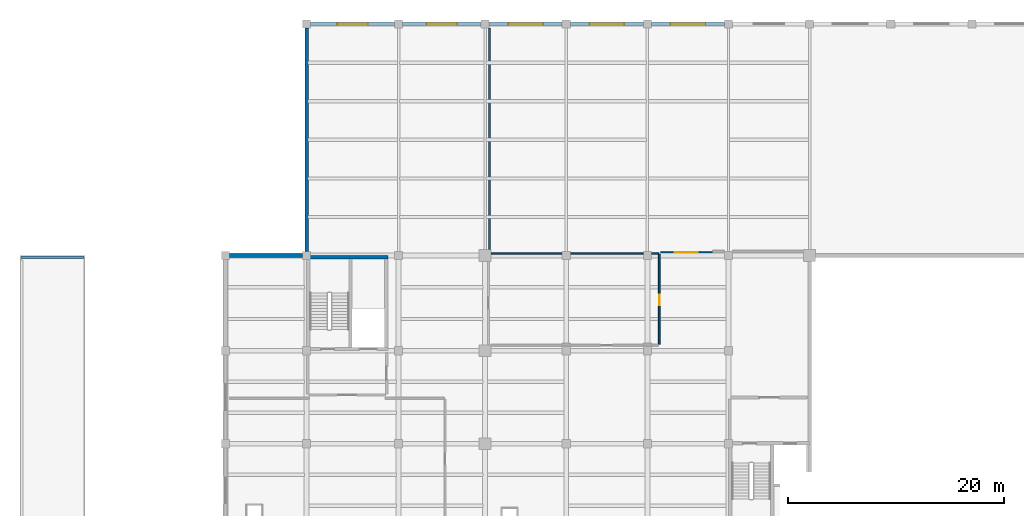
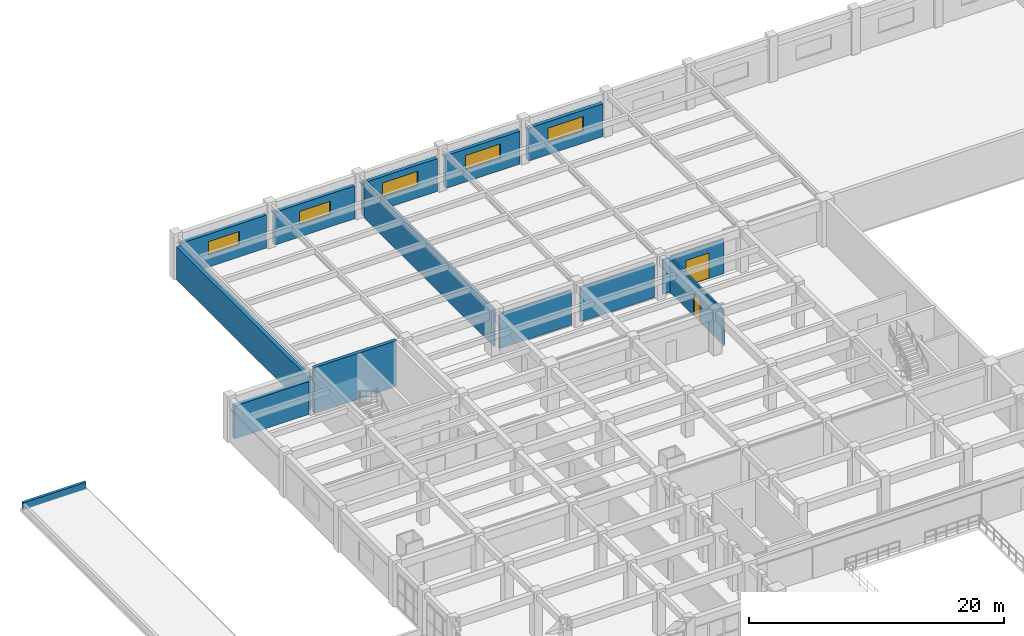
# One storey, part 73 of 90: 15 walls, 5 windows, 2 doors, 7 openings.
"""IFC4 building model written with IfcOpenShell, lengths in metres."""

from ifc_helpers import new_model, si_unit, direction, frame, frame_2d, origin, place, context, subcontext, project, spatial, rectangle, extrude, material, layer, layer_set, type_object, element, fill, save


model = new_model("IFC4")

# Units and contexts
model_context = context("Model", 3, precision=1e-05, world=origin(), true_north=direction((0.0, 1.0)))
body_context = subcontext(model_context, "Body", "Model", "MODEL_VIEW")
ifc_project = project(units=[si_unit("LENGTHUNIT", "METRE"), si_unit("AREAUNIT", "SQUARE_METRE"), si_unit("VOLUMEUNIT", "CUBIC_METRE"), si_unit("PLANEANGLEUNIT", "RADIAN"), si_unit("MASSUNIT", "GRAM", prefix="KILO")], contexts=[model_context])

# Site, building, storey
site_placement = place(None, origin())
site = spatial("IfcSite", under=ifc_project, at=site_placement, CompositionType="ELEMENT")
building_placement = place(site_placement, origin())
building = spatial("IfcBuilding", under=site, at=building_placement, Name="Muzn Square Opera House", CompositionType="ELEMENT")
storey_placement = place(building_placement, frame((0.0, 0.0, 9.800048828125)))
storey = spatial("IfcBuildingStorey", under=building, at=storey_placement, Name="L02", CompositionType="ELEMENT", Elevation=9.800048828125)

# Wall
ifc_material_1 = material(Name="Concrete C45/55", Category="concrete")
ifc_layer_1 = layer(ifc_material_1, 0.300048828125, Name="Concrete C45/55", Category="concrete")
ifc_layer_set_1 = layer_set([ifc_layer_1], Name="Concrete C45/55")
wall_type_1 = type_object("IfcWallType", Name="Core Shear Wall 300mm", PredefinedType="SHEAR", material=ifc_layer_set_1)
wall_1_placement = place(storey_placement, frame((26.5, 98.449951171875, 0.0), z_axis=(0.0, 0.0, 1.0), x_axis=(1.0, 0.0, 0.0)))
element("IfcWall", 1, at=wall_1_placement, inside=storey, type_object=wall_type_1, Name="Core C6 Shear Wall SW-C6-L02-N", PredefinedType="SHEAR", context=body_context, shape_type="SweptSolid", body=[
    extrude(rectangle(XDim=7.5, YDim=0.300048828125, at=frame_2d((3.75, 0.0))), origin(), (0.0, 0.0, 1.0), 4.39990234375),
])

# Wall, opening, window
ifc_material_2 = material(Name="Concrete C40/50", Category="concrete")
ifc_layer_2 = layer(ifc_material_2, 0.340087890625, Name="Concrete C40/50", Category="concrete")
ifc_layer_set_2 = layer_set([ifc_layer_2], Name="Concrete C40/50")
wall_type_2 = type_object("IfcWallType", Name="Exterior Insulated Spandrel Wall 340mm", PredefinedType="SOLIDWALL", material=ifc_layer_set_2)
wall_2_placement = place(storey_placement, frame((26.875, 120.0, 0.0), z_axis=(0.0, 0.0, 1.0), x_axis=(1.0, 0.0, 0.0)))
wall_2 = element("IfcWall", 2, at=wall_2_placement, inside=storey, type_object=wall_type_2, Name="Exterior Facade Wall EW-L02-057", PredefinedType="SOLIDWALL", context=body_context, shape_type="SweptSolid", body=[
    extrude(rectangle(XDim=7.75, YDim=0.340087890625, at=frame_2d((3.875, 0.0))), origin(), (0.0, 0.0, 1.0), 3.14990234375),
])
opening_1_placement = place(wall_2_placement, frame((2.47509765625, 0.0, 1.14990234375)))
opening_1 = element("IfcOpeningElement", 3, at=opening_1_placement, cuts=wall_2, Name="Opening WN-S2813", PredefinedType="OPENING", context=body_context, shape_type="SweptSolid", body=[
    extrude(rectangle(XDim=2.800048828125, YDim=1.300048828125, at=frame_2d((1.39990234375, 0.64990234375))), frame((0.0, 0.179931640625, 0.0), z_axis=(0.0, -1.0, 0.0), x_axis=(1.0, 0.0, 0.0)), (0.0, 0.0, 1.0), 0.360107421875),
])
ifc_material_3 = material(Name="Low-E laminated acoustic double glazing", Category="glass")
window_type_1 = type_object("IfcWindowType", Name="Scenery Clerestory Window 2800x1300", PartitioningType="DOUBLE_PANEL_HORIZONTAL", PredefinedType="WINDOW", material=ifc_material_3)
window_1_placement = place(opening_1_placement, origin())
window_1 = element("IfcWindow", 4, at=window_1_placement, inside=storey, type_object=window_type_1, Name="Scenery Clerestory Window 2800x1300 EW-L02-057-WN01", OverallHeight=1.300048828125, OverallWidth=2.800048828125, PartitioningType="SINGLE_PANEL", PredefinedType="WINDOW", context=body_context, shape_type="SweptSolid", body=[
    extrude(rectangle(XDim=2.800048828125, YDim=1.300048828125, at=frame_2d((1.39990234375, 0.64990234375))), frame((0.0, 0.030029296875, 0.0), z_axis=(0.0, -1.0, 0.0), x_axis=(1.0, 0.0, 0.0)), (0.0, 0.0, 1.0), 0.06005859375),
])
fill(opening_1, window_1)

wall_3_placement = place(storey_placement, frame((35.375, 120.0, 0.0), z_axis=(0.0, 0.0, 1.0), x_axis=(1.0, 0.0, 0.0)))
wall_3 = element("IfcWall", 5, at=wall_3_placement, inside=storey, type_object=wall_type_2, Name="Exterior Facade Wall EW-L02-058", PredefinedType="SOLIDWALL", context=body_context, shape_type="SweptSolid", body=[
    extrude(rectangle(XDim=7.25, YDim=0.340087890625, at=frame_2d((3.625, 0.0))), origin(), (0.0, 0.0, 1.0), 3.14990234375),
])
opening_2_placement = place(wall_3_placement, frame((2.22509765625, 0.0, 1.14990234375)))
opening_2 = element("IfcOpeningElement", 6, at=opening_2_placement, cuts=wall_3, Name="Opening WN-S2813", PredefinedType="OPENING", context=body_context, shape_type="SweptSolid", body=[
    extrude(rectangle(XDim=2.800048828125, YDim=1.300048828125, at=frame_2d((1.39990234375, 0.64990234375))), frame((0.0, 0.179931640625, 0.0), z_axis=(0.0, -1.0, 0.0), x_axis=(1.0, 0.0, 0.0)), (0.0, 0.0, 1.0), 0.360107421875),
])
window_2_placement = place(opening_2_placement, origin())
window_2 = element("IfcWindow", 7, at=window_2_placement, inside=storey, type_object=window_type_1, Name="Scenery Clerestory Window 2800x1300 EW-L02-058-WN01", OverallHeight=1.300048828125, OverallWidth=2.800048828125, PartitioningType="SINGLE_PANEL", PredefinedType="WINDOW", context=body_context, shape_type="SweptSolid", body=[
    extrude(rectangle(XDim=2.800048828125, YDim=1.300048828125, at=frame_2d((1.39990234375, 0.64990234375))), frame((0.0, 0.030029296875, 0.0), z_axis=(0.0, -1.0, 0.0), x_axis=(1.0, 0.0, 0.0)), (0.0, 0.0, 1.0), 0.06005859375),
])
fill(opening_2, window_2)

wall_4_placement = place(storey_placement, frame((43.375, 120.0, 0.0), z_axis=(0.0, 0.0, 1.0), x_axis=(1.0, 0.0, 0.0)))
wall_4 = element("IfcWall", 8, at=wall_4_placement, inside=storey, type_object=wall_type_2, Name="Exterior Facade Wall EW-L02-059", PredefinedType="SOLIDWALL", context=body_context, shape_type="SweptSolid", body=[
    extrude(rectangle(XDim=6.75, YDim=0.340087890625, at=frame_2d((3.375, 0.0))), origin(), (0.0, 0.0, 1.0), 3.14990234375),
])
opening_3_placement = place(wall_4_placement, frame((1.77490234375, 0.0, 1.14990234375)))
opening_3 = element("IfcOpeningElement", 9, at=opening_3_placement, cuts=wall_4, Name="Opening WN-S3214", PredefinedType="OPENING", context=body_context, shape_type="SweptSolid", body=[
    extrude(rectangle(XDim=3.199951171875, YDim=1.39990234375, at=frame_2d((1.60009765625, 0.699951171875))), frame((0.0, 0.179931640625, 0.0), z_axis=(0.0, -1.0, 0.0), x_axis=(1.0, 0.0, 0.0)), (0.0, 0.0, 1.0), 0.360107421875),
])
window_type_2 = type_object("IfcWindowType", Name="Scenery Clerestory Window 3200x1400", PartitioningType="TRIPLE_PANEL_VERTICAL", PredefinedType="WINDOW", material=ifc_material_3)
window_3_placement = place(opening_3_placement, origin())
window_3 = element("IfcWindow", 10, at=window_3_placement, inside=storey, type_object=window_type_2, Name="Scenery Clerestory Window 3200x1400 EW-L02-059-WN01", OverallHeight=1.39990234375, OverallWidth=3.199951171875, PartitioningType="SINGLE_PANEL", PredefinedType="WINDOW", context=body_context, shape_type="SweptSolid", body=[
    extrude(rectangle(XDim=3.199951171875, YDim=1.39990234375, at=frame_2d((1.60009765625, 0.699951171875))), frame((0.0, 0.030029296875, 0.0), z_axis=(0.0, -1.0, 0.0), x_axis=(1.0, 0.0, 0.0)), (0.0, 0.0, 1.0), 0.06005859375),
])
fill(opening_3, window_3)

wall_5_placement = place(storey_placement, frame((50.875, 120.0, 0.0), z_axis=(0.0, 0.0, 1.0), x_axis=(1.0, 0.0, 0.0)))
wall_5 = element("IfcWall", 11, at=wall_5_placement, inside=storey, type_object=wall_type_2, Name="Exterior Facade Wall EW-L02-060", PredefinedType="SOLIDWALL", context=body_context, shape_type="SweptSolid", body=[
    extrude(rectangle(XDim=6.75, YDim=0.340087890625, at=frame_2d((3.375, 0.0))), origin(), (0.0, 0.0, 1.0), 3.14990234375),
])
opening_4_placement = place(wall_5_placement, frame((1.77490234375, 0.0, 1.14990234375)))
opening_4 = element("IfcOpeningElement", 12, at=opening_4_placement, cuts=wall_5, Name="Opening WN-S3214", PredefinedType="OPENING", context=body_context, shape_type="SweptSolid", body=[
    extrude(rectangle(XDim=3.199951171875, YDim=1.39990234375, at=frame_2d((1.60009765625, 0.699951171875))), frame((0.0, 0.179931640625, 0.0), z_axis=(0.0, -1.0, 0.0), x_axis=(1.0, 0.0, 0.0)), (0.0, 0.0, 1.0), 0.360107421875),
])
window_4_placement = place(opening_4_placement, origin())
window_4 = element("IfcWindow", 13, at=window_4_placement, inside=storey, type_object=window_type_2, Name="Scenery Clerestory Window 3200x1400 EW-L02-060-WN01", OverallHeight=1.39990234375, OverallWidth=3.199951171875, PartitioningType="SINGLE_PANEL", PredefinedType="WINDOW", context=body_context, shape_type="SweptSolid", body=[
    extrude(rectangle(XDim=3.199951171875, YDim=1.39990234375, at=frame_2d((1.60009765625, 0.699951171875))), frame((0.0, 0.030029296875, 0.0), z_axis=(0.0, -1.0, 0.0), x_axis=(1.0, 0.0, 0.0)), (0.0, 0.0, 1.0), 0.06005859375),
])
fill(opening_4, window_4)

wall_6_placement = place(storey_placement, frame((58.375, 120.0, 0.0), z_axis=(0.0, 0.0, 1.0), x_axis=(1.0, 0.0, 0.0)))
wall_6 = element("IfcWall", 14, at=wall_6_placement, inside=storey, type_object=wall_type_2, Name="Exterior Facade Wall EW-L02-061", PredefinedType="SOLIDWALL", context=body_context, shape_type="SweptSolid", body=[
    extrude(rectangle(XDim=6.75, YDim=0.340087890625, at=frame_2d((3.375, 0.0))), origin(), (0.0, 0.0, 1.0), 3.14990234375),
])
opening_5_placement = place(wall_6_placement, frame((1.77490234375, 0.0, 1.14990234375)))
opening_5 = element("IfcOpeningElement", 15, at=opening_5_placement, cuts=wall_6, Name="Opening WN-S3214", PredefinedType="OPENING", context=body_context, shape_type="SweptSolid", body=[
    extrude(rectangle(XDim=3.199951171875, YDim=1.39990234375, at=frame_2d((1.60009765625, 0.699951171875))), frame((0.0, 0.179931640625, 0.0), z_axis=(0.0, -1.0, 0.0), x_axis=(1.0, 0.0, 0.0)), (0.0, 0.0, 1.0), 0.360107421875),
])
window_5_placement = place(opening_5_placement, origin())
window_5 = element("IfcWindow", 16, at=window_5_placement, inside=storey, type_object=window_type_2, Name="Scenery Clerestory Window 3200x1400 EW-L02-061-WN01", OverallHeight=1.39990234375, OverallWidth=3.199951171875, PartitioningType="SINGLE_PANEL", PredefinedType="WINDOW", context=body_context, shape_type="SweptSolid", body=[
    extrude(rectangle(XDim=3.199951171875, YDim=1.39990234375, at=frame_2d((1.60009765625, 0.699951171875))), frame((0.0, 0.030029296875, 0.0), z_axis=(0.0, -1.0, 0.0), x_axis=(1.0, 0.0, 0.0)), (0.0, 0.0, 1.0), 0.06005859375),
])
fill(opening_5, window_5)

# Walls
wall_7_placement = place(storey_placement, frame((19.375, 98.60009765625, 0.0), z_axis=(0.0, 0.0, 1.0), x_axis=(1.0, 0.0, 0.0)))
element("IfcWall", 17, at=wall_7_placement, inside=storey, type_object=wall_type_2, Name="Exterior Facade Wall EW-L02-186", PredefinedType="SOLIDWALL", context=body_context, shape_type="SweptSolid", body=[
    extrude(rectangle(XDim=6.75, YDim=0.340087890625, at=frame_2d((3.375, 0.0))), origin(), (0.0, 0.0, 1.0), 3.14990234375),
])
wall_8_placement = place(storey_placement, frame((26.5, 98.97509765625, 0.0), z_axis=(0.0, 0.0, 1.0), x_axis=(0.0, 1.0, 0.0)))
element("IfcWall", 18, at=wall_8_placement, inside=storey, type_object=wall_type_2, Name="Exterior Facade Wall EW-L02-187", PredefinedType="SOLIDWALL", context=body_context, shape_type="SweptSolid", body=[
    extrude(rectangle(XDim=20.64990234375, YDim=0.340087890625, at=frame_2d((10.324951171875, 0.0))), origin(), (0.0, 0.0, 1.0), 3.14990234375),
])
ifc_material_4 = material(Name="Acoustic gypsum stud partition", Category="gypsum")
ifc_layer_3 = layer(ifc_material_4, 0.14990234375, Name="Acoustic gypsum stud partition", Category="gypsum")
ifc_layer_set_3 = layer_set([ifc_layer_3], Name="Acoustic gypsum stud partition")
wall_type_3 = type_object("IfcWallType", Name="Office Acoustic Partition 150mm", PredefinedType="PARTITIONING", material=ifc_layer_set_3)
wall_9_placement = place(storey_placement, frame((50.89501953125, 98.800048828125, 0.0), z_axis=(0.0, 0.0, 1.0), x_axis=(1.0, 0.0, 0.0)))
element("IfcWall", 19, at=wall_9_placement, inside=storey, type_object=wall_type_3, Name="Interior Partition PW-L02-0275", PredefinedType="PARTITIONING", context=body_context, shape_type="SweptSolid", body=[
    extrude(rectangle(XDim=6.7099609375, YDim=0.14990234375, at=frame_2d((3.35498046875, 0.0))), origin(), (0.0, 0.0, 1.0), 3.329833984375),
])
wall_10_placement = place(storey_placement, frame((43.570068359375, 98.800048828125, 0.0), z_axis=(0.0, 0.0, 1.0), x_axis=(1.0, 0.0, 0.0)))
element("IfcWall", 20, at=wall_10_placement, inside=storey, type_object=wall_type_3, Name="Interior Partition PW-L02-0276", PredefinedType="PARTITIONING", context=body_context, shape_type="SweptSolid", body=[
    extrude(rectangle(XDim=6.534912109375, YDim=0.14990234375, at=frame_2d((3.267578125, 0.0))), origin(), (0.0, 0.0, 1.0), 3.329833984375),
])

# Wall, opening, door
wall_11_placement = place(storey_placement, frame((59.199951171875, 98.89990234375, 0.0), z_axis=(0.0, 0.0, 1.0), x_axis=(1.0, 0.0, 0.0)))
wall_11 = element("IfcWall", 21, at=wall_11_placement, inside=storey, type_object=wall_type_3, Name="Interior Partition PW-L02-0279", PredefinedType="PARTITIONING", context=body_context, shape_type="SweptSolid", body=[
    extrude(rectangle(XDim=4.800048828125, YDim=0.14990234375, at=frame_2d((2.39990234375, 0.0))), origin(), (0.0, 0.0, 1.0), 3.329833984375),
])
opening_6_placement = place(wall_11_placement, frame((1.35009765625, 0.0, 0.0)))
opening_6 = element("IfcOpeningElement", 22, at=opening_6_placement, cuts=wall_11, Name="Opening DR-PW21", PredefinedType="OPENING", context=body_context, shape_type="SweptSolid", body=[
    extrude(rectangle(XDim=2.10009765625, YDim=2.449951171875, at=frame_2d((1.050048828125, 1.22509765625))), frame((0.0, 0.0849609375, 0.0), z_axis=(0.0, -1.0, 0.0), x_axis=(1.0, 0.0, 0.0)), (0.0, 0.0, 1.0), 0.169921875),
])
ifc_material_5 = material(Name="Galvanised painted steel leaf", Category="metal")
door_type_1 = type_object("IfcDoorType", Name="Prop Workshop Double Door 2100x2450", OperationType="DOUBLE_DOOR_SINGLE_SWING", PredefinedType="DOOR", material=ifc_material_5)
door_1_placement = place(opening_6_placement, origin())
door_1 = element("IfcDoor", 23, at=door_1_placement, inside=storey, type_object=door_type_1, Name="Scenery Paint Frame Mezzanine Door DR-L02-0088", OperationType="DOUBLE_DOOR_SINGLE_SWING", OverallHeight=2.449951171875, OverallWidth=2.10009765625, PredefinedType="DOOR", context=body_context, shape_type="SweptSolid", body=[
    extrude(rectangle(XDim=2.10009765625, YDim=2.449951171875, at=frame_2d((1.050048828125, 1.22509765625))), frame((0.0, 0.02490234375, 0.0), z_axis=(0.0, -1.0, 0.0), x_axis=(1.0, 0.0, 0.0)), (0.0, 0.0, 1.0), 0.050048828125),
])
fill(opening_6, door_1)

# Walls
wall_12_placement = place(storey_placement, frame((43.39990234375, 99.169921875, 0.0), z_axis=(0.0, 0.0, 1.0), x_axis=(0.0, 1.0, 0.0)))
element("IfcWall", 24, at=wall_12_placement, inside=storey, type_object=wall_type_3, Name="Room Enclosure Partition PW-L02-0331", PredefinedType="PARTITIONING", context=body_context, shape_type="SweptSolid", body=[
    extrude(rectangle(XDim=20.4501953125, YDim=0.14990234375, at=frame_2d((10.22509765625, 0.0))), origin(), (0.0, 0.0, 1.0), 3.6298828125),
])
wall_13_placement = place(storey_placement, frame((58.39501953125, 98.800048828125, 0.0), z_axis=(0.0, 0.0, 1.0), x_axis=(1.0, 0.0, 0.0)))
element("IfcWall", 25, at=wall_13_placement, inside=storey, type_object=wall_type_3, Name="Interior Partition PW-L02-0277", PredefinedType="PARTITIONING", context=body_context, shape_type="SweptSolid", body=[
    extrude(rectangle(XDim=0.639892578125, YDim=0.14990234375, at=frame_2d((0.31982421875, 0.0))), origin(), (0.0, 0.0, 1.0), 3.329833984375),
])
ifc_material_6 = material(Name="Precast concrete C40/50", Category="concrete")
ifc_layer_4 = layer(ifc_material_6, 0.239990234375, Name="Precast concrete C40/50", Category="concrete")
ifc_layer_set_4 = layer_set([ifc_layer_4], Name="Precast concrete C40/50")
wall_type_4 = type_object("IfcWallType", Name="Roof Parapet Wall 240mm", PredefinedType="PARAPET", material=ifc_layer_set_4)
wall_14_placement = place(storey_placement, frame((0.14990234375, 98.449951171875, 0.0), z_axis=(0.0, 0.0, 1.0), x_axis=(1.0, 0.0, 0.0)))
element("IfcWall", 26, at=wall_14_placement, inside=storey, type_object=wall_type_4, Name="Roof Parapet ROOF-L02-COL-WB-N", PredefinedType="PARAPET", context=body_context, shape_type="SweptSolid", body=[
    extrude(rectangle(XDim=5.7001953125, YDim=0.239990234375, at=frame_2d((2.85009765625, 0.0))), origin(), (0.0, 0.0, 1.0), 0.64990234375),
])

# Wall, opening, door
ifc_layer_5 = layer(ifc_material_4, 0.159912109375, Name="Acoustic gypsum stud partition", Category="gypsum")
ifc_layer_set_5 = layer_set([ifc_layer_5], Name="Acoustic gypsum stud partition")
wall_type_5 = type_object("IfcWallType", Name="Workshop Rated Partition 160mm", PredefinedType="PARTITIONING", material=ifc_layer_set_5)
wall_15_placement = place(storey_placement, frame((59.10009765625, 90.385009765625, 0.0), z_axis=(0.0, 0.0, 1.0), x_axis=(0.0, 1.0, 0.0)))
wall_15 = element("IfcWall", 27, at=wall_15_placement, inside=storey, type_object=wall_type_5, Name="Interior Partition PW-L02-0284", PredefinedType="PARTITIONING", context=body_context, shape_type="SweptSolid", body=[
    extrude(rectangle(XDim=8.3349609375, YDim=0.159912109375, at=frame_2d((4.16748046875, 0.0))), origin(), (0.0, 0.0, 1.0), 3.329833984375),
])
opening_7_placement = place(wall_15_placement, frame((3.639892578125, 0.0, 0.0)))
opening_7 = element("IfcOpeningElement", 28, at=opening_7_placement, cuts=wall_15, Name="Opening DR-OF95", PredefinedType="OPENING", context=body_context, shape_type="SweptSolid", body=[
    extrude(rectangle(XDim=0.949951171875, YDim=2.14990234375, at=frame_2d((0.47509765625, 1.074951171875))), frame((0.0, 0.08984375, 0.0), z_axis=(0.0, -1.0, 0.0), x_axis=(1.0, 0.0, 0.0)), (0.0, 0.0, 1.0), 0.179931640625),
])
ifc_material_7 = material(Name="Acoustic hardwood leaf", Category="wood")
door_type_2 = type_object("IfcDoorType", Name="Office Room Door 950x2150", OperationType="NOTDEFINED", PredefinedType="DOOR", material=ifc_material_7)
door_2_placement = place(opening_7_placement, origin())
door_2 = element("IfcDoor", 29, at=door_2_placement, inside=storey, type_object=door_type_2, Name="Rigging Cordage Store Door DR-L02-0091", OperationType="SINGLE_SWING_RIGHT", OverallHeight=2.14990234375, OverallWidth=0.949951171875, PredefinedType="DOOR", context=body_context, shape_type="SweptSolid", body=[
    extrude(rectangle(XDim=0.949951171875, YDim=2.14990234375, at=frame_2d((0.47509765625, 1.074951171875))), frame((0.0, 0.02490234375, 0.0), z_axis=(0.0, -1.0, 0.0), x_axis=(1.0, 0.0, 0.0)), (0.0, 0.0, 1.0), 0.050048828125),
])
fill(opening_7, door_2)

save(model, "model.ifc")
